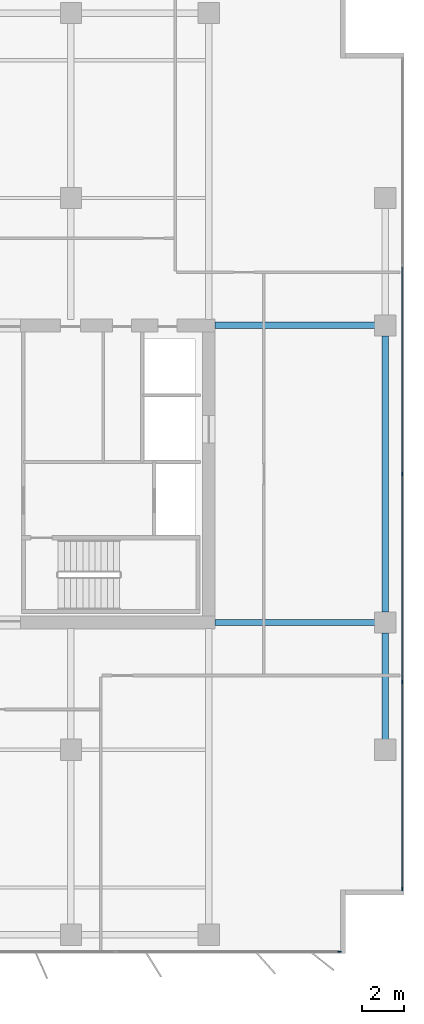
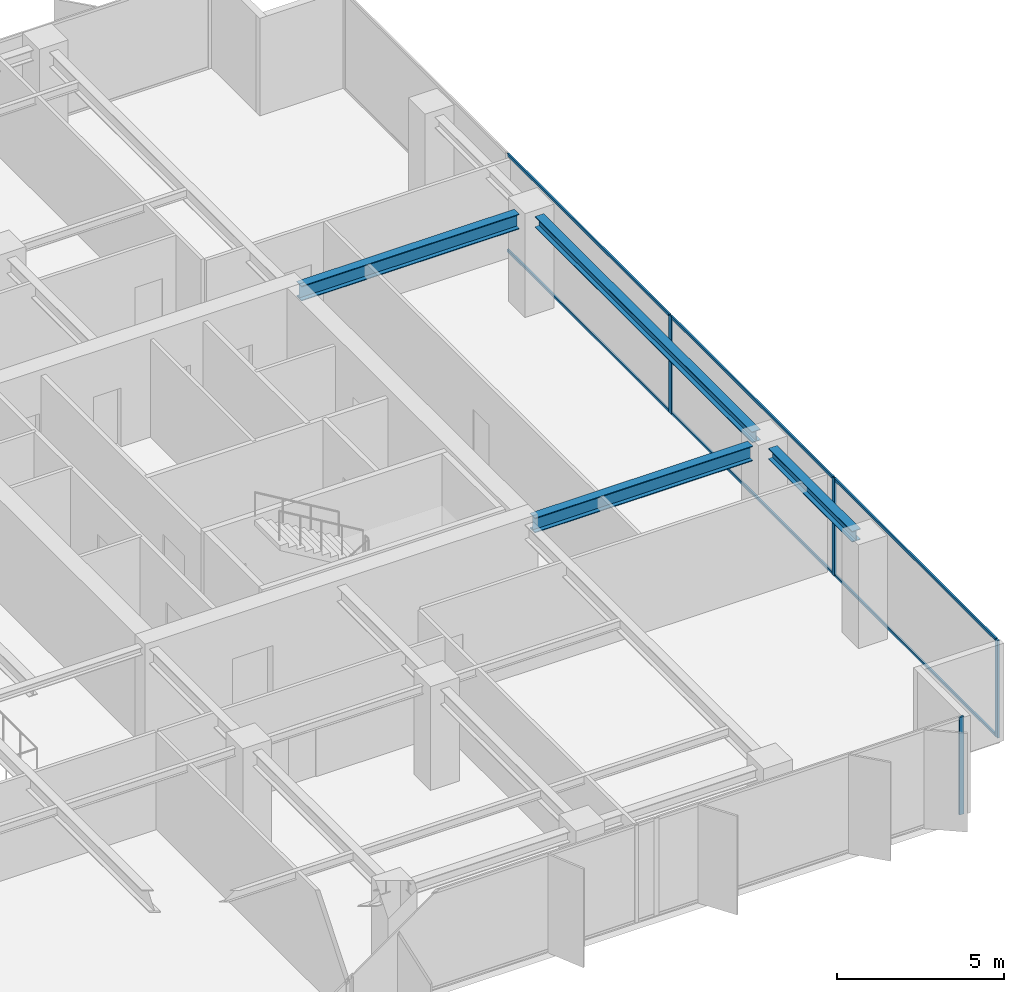
# One storey, part 12 of 22: 10 members, 4 beams, 2 elements without a shape of their own.
"""IFC4 building model written with IfcOpenShell, lengths in metres."""

import ifcopenshell
import ifcopenshell.guid

model = None  # the IFC model being written
_history = None  # IfcOwnerHistory: only IFC2X3 demands one
_inside = {}  # id of a spatial element -> (the spatial element, [elements in it])
_under = {}  # id of a project, library or spatial element -> (it, [spatial elements below it])
_declared = {}  # id of a project -> (the project, [libraries it declares])
_typed = {}  # id of a type object -> (the type object, [elements of that type])
_made_of = {}  # id of a material, layer set ... -> (it, [elements and type objects made of it])


def new_model(schema):
    """Start an empty IFC model of exactly this schema.

    Asked for "IFC4X3", IfcOpenShell would pick the latest addendum, in which some entities
    have other attributes; the version numbers below select the first issue.
    IFC2X3 requires an IfcOwnerHistory on every rooted entity: one is made here for all.
    """
    global model, _history
    if schema == "IFC4X3":
        model = ifcopenshell.file(schema_version=(4, 3, 0, 0))
    else:
        model = ifcopenshell.file(schema=schema)
    _inside.clear()
    _under.clear()
    _declared.clear()
    _typed.clear()
    _made_of.clear()
    _history = None
    if model.schema == "IFC2X3":
        org = make("IfcOrganization", Name="unknown")
        user = make(
            "IfcPersonAndOrganization",
            ThePerson=make("IfcPerson", FamilyName="unknown"),
            TheOrganization=org,
        )
        app = make(
            "IfcApplication",
            ApplicationDeveloper=org,
            Version="unknown",
            ApplicationFullName="unknown",
            ApplicationIdentifier="unknown",
        )
        _history = make(
            "IfcOwnerHistory",
            OwningUser=user,
            OwningApplication=app,
            ChangeAction="ADDED",
            CreationDate=0,
        )
    return model


def make(cls, **values):
    """One entity of the class cls with the attributes given. An attribute that is None is left unset."""
    return model.create_entity(
        cls, **{name: value for name, value in values.items() if value is not None}
    )


def rooted(cls, **values):
    """An entity with a GlobalId (a new one), such as an element, a storey or a relation."""
    return make(cls, GlobalId=ifcopenshell.guid.new(), OwnerHistory=_history, **values)


def si_unit(unit_type, name, prefix=None):
    """IfcSIUnit, for example si_unit("LENGTHUNIT", "METRE", prefix="MILLI")."""
    return make("IfcSIUnit", UnitType=unit_type, Prefix=prefix, Name=name)


def assignment(units):
    """IfcUnitAssignment: the units of a project."""
    return None if units is None else make("IfcUnitAssignment", Units=units)


def point(xyz):
    """IfcCartesianPoint."""
    return None if xyz is None else make("IfcCartesianPoint", Coordinates=xyz)


def direction(xyz):
    """IfcDirection."""
    return None if xyz is None else make("IfcDirection", DirectionRatios=xyz)


def frame(location, z_axis=None, x_axis=None):
    """IfcAxis2Placement3D, a coordinate frame: its origin and axes. An axis left out is left unset."""
    return make(
        "IfcAxis2Placement3D",
        Location=point(location),
        Axis=direction(z_axis),
        RefDirection=direction(x_axis),
    )


def frame_2d(location, x_axis=None):
    """IfcAxis2Placement2D, a coordinate frame in the plane: its origin and x axis."""
    return make(
        "IfcAxis2Placement2D", Location=point(location), RefDirection=direction(x_axis)
    )


def origin():
    """The frame at (0, 0, 0) with its axes left unset."""
    return frame((0.0, 0.0, 0.0))


def origin_2d():
    """The frame at (0, 0) in the plane with its x axis left unset."""
    return frame_2d((0.0, 0.0))


def place(relative_to, where):
    """IfcLocalPlacement: puts the frame where relative to a parent placement (None: the world)."""
    return make(
        "IfcLocalPlacement", PlacementRelTo=relative_to, RelativePlacement=where
    )


def context(
    kind, dimensions, precision=None, world=None, true_north=None, identifier=None
):
    """IfcGeometricRepresentationContext, for example the 3D "Model" context."""
    return make(
        "IfcGeometricRepresentationContext",
        ContextIdentifier=identifier,
        ContextType=kind,
        CoordinateSpaceDimension=dimensions,
        Precision=precision,
        WorldCoordinateSystem=world,
        TrueNorth=true_north,
    )


def subcontext(parent, identifier, kind, view, scale=None):
    """IfcGeometricRepresentationSubContext, for example "Body" below "Model"."""
    return make(
        "IfcGeometricRepresentationSubContext",
        ContextIdentifier=identifier,
        ContextType=kind,
        ParentContext=parent,
        TargetScale=scale,
        TargetView=view,
    )


def project(units=None, contexts=None):
    """IfcProject with its units and contexts."""
    return rooted(
        "IfcProject",
        Name="project",
        RepresentationContexts=contexts,
        UnitsInContext=assignment(units),
    )


def spatial(cls, under=None, at=None, **own):
    """A site, building, storey or space (cls), placed at a placement, below another one or the project."""
    s = rooted(cls, ObjectPlacement=at, **own)
    if under is not None:
        _under.setdefault(under.id(), (under, []))[1].append(s)
    return s


def profile(cls, at=None, kind="AREA", **sizes):
    """A parametric profile (cls). Its sizes go by their IFC names, for example OverallWidth=200.0."""
    return make(cls, ProfileType=kind, Position=at, **sizes)


def rectangle(**sizes):
    """IfcRectangleProfileDef."""
    return profile("IfcRectangleProfileDef", **sizes)


def i_section(**sizes):
    """IfcIShapeProfileDef."""
    return profile("IfcIShapeProfileDef", **sizes)


def extrude(swept, where, along, depth):
    """IfcExtrudedAreaSolid: the profile swept, set in the frame where, extruded along a direction by depth."""
    return make(
        "IfcExtrudedAreaSolid",
        SweptArea=swept,
        Position=where,
        ExtrudedDirection=direction(along),
        Depth=depth,
    )


def shape(context_of_items, identifier, shape_type, items):
    """IfcShapeRepresentation: the items that make up one representation, for example the "Body"."""
    return make(
        "IfcShapeRepresentation",
        ContextOfItems=context_of_items,
        RepresentationIdentifier=identifier,
        RepresentationType=shape_type,
        Items=items,
    )


def material(Name=None, Category=None):
    """IfcMaterial."""
    return make("IfcMaterial", Name=Name, Category=Category)


def layer(
    of_material, thickness, ventilated=None, Name=None, Category=None, Priority=None
):
    """IfcMaterialLayer: one layer of a wall or slab, of a material (None: an air gap)."""
    return make(
        "IfcMaterialLayer",
        Material=of_material,
        LayerThickness=thickness,
        IsVentilated=ventilated,
        Name=Name,
        Category=Category,
        Priority=Priority,
    )


def layer_set(layers, Name=None):
    """IfcMaterialLayerSet."""
    return make("IfcMaterialLayerSet", MaterialLayers=layers, LayerSetName=Name)


def material_profile(
    of_material, cross_section, Name=None, Category=None, Priority=None
):
    """IfcMaterialProfile: a cross section and its material."""
    return make(
        "IfcMaterialProfile",
        Name=Name,
        Material=of_material,
        Profile=cross_section,
        Priority=Priority,
        Category=Category,
    )


def profile_set(profiles, Name=None, composite=None):
    """IfcMaterialProfileSet."""
    return make(
        "IfcMaterialProfileSet",
        Name=Name,
        MaterialProfiles=profiles,
        CompositeProfile=composite,
    )


def made_of(thing, what):
    """Note that an element or type object is made of a material, layer set ...; save() writes the relation."""
    if what is not None:
        _made_of.setdefault(what.id(), (what, []))[1].append(thing)
    return thing


def type_object(cls, material=None, **own):
    """A type object (cls), such as IfcWallType, which elements share."""
    return made_of(rooted(cls, **own), material)


def element(
    cls,
    number,
    at=None,
    inside=None,
    cuts=None,
    type_object=None,
    material=None,
    context=None,
    identifier="Body",
    shape_type=None,
    held_by="IfcProductDefinitionShape",
    body=None,
    shapes=None,
    **own,
):
    """One element of the class cls, such as IfcWall. Its Tag is "e" and its number.

    at: its placement. inside: the storey or other place that contains it. cuts: it is an
    opening in that element (IfcRelVoidsElement). A single representation is given by context,
    identifier, shape_type and body (its items); several are given by shapes. held_by: the class
    of the entity that holds the representations. save() writes the other relations.
    """
    e = rooted(cls, Tag="e%d" % number, ObjectPlacement=at, **own)
    if body is not None:
        shapes = [shape(context, identifier, shape_type, body)]
    if shapes is not None:
        e.Representation = make(held_by, Representations=shapes)
    if inside is not None:
        _inside.setdefault(inside.id(), (inside, []))[1].append(e)
    if cuts is not None:
        rooted(
            "IfcRelVoidsElement", RelatingBuildingElement=cuts, RelatedOpeningElement=e
        )
    if type_object is not None:
        _typed.setdefault(type_object.id(), (type_object, []))[1].append(e)
    return made_of(e, material)


def aggregate(whole, parts):
    """IfcRelAggregates: a whole, such as a stair, and the parts it consists of."""
    return rooted("IfcRelAggregates", RelatingObject=whole, RelatedObjects=parts)


def save(model, path):
    """Write the relations noted so far, then the file.

    IfcRelAggregates (storeys below a building ...), IfcRelContainedInSpatialStructure (elements
    in a storey), IfcRelDefinesByType, IfcRelAssociatesMaterial and IfcRelDeclares: one each for
    every whole, place, type object, material and project.
    """
    for whole, parts in _under.values():
        aggregate(whole, parts)
    for where, things in _inside.values():
        rooted(
            "IfcRelContainedInSpatialStructure",
            RelatedElements=things,
            RelatingStructure=where,
        )
    for kind, things in _typed.values():
        rooted("IfcRelDefinesByType", RelatedObjects=things, RelatingType=kind)
    for what, things in _made_of.values():
        rooted("IfcRelAssociatesMaterial", RelatedObjects=things, RelatingMaterial=what)
    for by, libraries in _declared.values():
        rooted("IfcRelDeclares", RelatingContext=by, RelatedDefinitions=libraries)
    model.write(path)


model = new_model("IFC4")

# Units and contexts
model_context = context("Model", 3, precision=1e-05, world=origin(), true_north=direction((0.0, 1.0)))
body_context = subcontext(model_context, "Body", "Model", "MODEL_VIEW")
ifc_project = project(units=[si_unit("LENGTHUNIT", "METRE"), si_unit("AREAUNIT", "SQUARE_METRE"), si_unit("VOLUMEUNIT", "CUBIC_METRE"), si_unit("PLANEANGLEUNIT", "RADIAN"), si_unit("MASSUNIT", "GRAM", prefix="KILO")], contexts=[model_context])

# Site, building, storey
site_placement = place(None, origin())
site = spatial("IfcSite", under=ifc_project, at=site_placement, CompositionType="ELEMENT")
building_placement = place(site_placement, origin())
building = spatial("IfcBuilding", under=site, at=building_placement, Name="Putna Gate Headquarters", CompositionType="ELEMENT")
storey_placement = place(building_placement, frame((0.0, 0.0, 159.39990234375)))
storey = spatial("IfcBuildingStorey", under=building, at=storey_placement, Name="L39", CompositionType="ELEMENT", Elevation=159.39990234375)

# Beams
ifc_material_1 = material(Name="Steel S355J2", Category="steel")
ifc_material_profile_1 = material_profile(ifc_material_1, i_section(OverallWidth=0.300048828125, OverallDepth=0.550048828125, WebThickness=0.014892578125, FlangeThickness=0.029052734375, at=origin_2d()), Name="Steel S355J2")
ifc_profile_set_1 = profile_set([ifc_material_profile_1], Name="Steel S355J2")
beam_type_1 = type_object("IfcBeamType", Name="BM-GIRD-Z3-HEB550", PredefinedType="USERDEFINED", material=ifc_profile_set_1)
for number, where, z_axis, x_axis, name in (
    (1, (65.284912109375, 19.0, 3.297119140625), (1.0, 0.0, 0.0), (0.0, 1.0, 0.0), "L39 East Wing Girder Y19"),
    (2, (65.284912109375, 33.0, 3.297119140625), (1.0, 0.0, 0.0), (0.0, 1.0, 0.0), "L39 East Wing Girder Y33"),
):
    element("IfcBeam", number, at=place(storey_placement, frame(where, z_axis=z_axis, x_axis=x_axis)), inside=storey, type_object=beam_type_1, Name=name, ObjectType="GIRDER", PredefinedType="USERDEFINED", context=body_context, shape_type="SweptSolid", body=[
        extrude(i_section(OverallWidth=0.300048828125, OverallDepth=0.550048828125, WebThickness=0.014892578125, FlangeThickness=0.029052734375, at=origin_2d()), origin(), (0.0, 0.0, 1.0), 7.547119140625),
    ])
ifc_material_profile_2 = material_profile(ifc_material_1, i_section(OverallWidth=0.300048828125, OverallDepth=0.39990234375, WebThickness=0.013427734375, FlangeThickness=0.02392578125, at=origin_2d()), Name="Steel S355J2")
ifc_profile_set_2 = profile_set([ifc_material_profile_2], Name="Steel S355J2")
beam_type_2 = type_object("IfcBeamType", Name="BM-SPAN-Z3-HEB400", PredefinedType="SPANDREL", material=ifc_profile_set_2)
beam_1_placement = place(storey_placement, frame((73.320068359375, 13.488037109375, 3.3720703125), z_axis=(0.0, 1.0, 0.0), x_axis=(-1.0, 0.0, 0.0)))
element("IfcBeam", 3, at=beam_1_placement, inside=storey, type_object=beam_type_2, Name="L39 E End Spandrel 1", PredefinedType="SPANDREL", context=body_context, shape_type="SweptSolid", body=[
    extrude(i_section(OverallWidth=0.300048828125, OverallDepth=0.39990234375, WebThickness=0.013427734375, FlangeThickness=0.02392578125, at=origin_2d()), origin(), (0.0, 0.0, 1.0), 5.02392578125),
])
beam_2_placement = place(storey_placement, frame((73.320068359375, 19.488037109375, 3.3720703125), z_axis=(0.0, 1.0, 0.0), x_axis=(-1.0, 0.0, 0.0)))
element("IfcBeam", 4, at=beam_2_placement, inside=storey, type_object=beam_type_2, Name="L39 E End Spandrel 2", PredefinedType="SPANDREL", context=body_context, shape_type="SweptSolid", body=[
    extrude(i_section(OverallWidth=0.300048828125, OverallDepth=0.39990234375, WebThickness=0.013427734375, FlangeThickness=0.02392578125, at=origin_2d()), origin(), (0.0, 0.0, 1.0), 13.02392578125),
])

# Curtain wall, member
ifc_material_2 = material(Name="Anodised bronze aluminium curtain wall", Category="aluminium")
ifc_layer = layer(ifc_material_2, 0.159912109375)
ifc_layer_set = layer_set([ifc_layer], Name="Anodised bronze aluminium curtain wall")
curtain_wall_type = type_object("IfcCurtainWallType", Name="CW-SYS-Z3", PredefinedType="USERDEFINED", material=ifc_layer_set)
curtain_wall_1_placement = place(storey_placement, origin())
curtain_wall_1 = element("IfcCurtainWall", 5, at=curtain_wall_1_placement, inside=storey, type_object=curtain_wall_type, Name="L39 South East Curtain Wall", ObjectType="STICK CURTAIN WALL", PredefinedType="USERDEFINED")
ifc_material_3 = material(Name="Anodised bronze aluminium EN AW-6060", Category="aluminium")
ifc_material_profile_3 = material_profile(ifc_material_3, rectangle(XDim=0.06494140625, YDim=0.159912109375, at=origin_2d()), Name="Anodised bronze aluminium EN AW-6060")
ifc_profile_set_3 = profile_set([ifc_material_profile_3], Name="Anodised bronze aluminium EN AW-6060")
member_type_1 = type_object("IfcMemberType", Name="MULL-CWM-3", PredefinedType="MULLION", material=ifc_profile_set_3)
member_1_placement = place(storey_placement, frame((71.16748046875, 3.47998046875, 0.0), z_axis=(0.0, 0.0, 1.0), x_axis=(0.0, 1.0, 0.0)))
member_1 = element("IfcMember", 6, at=member_1_placement, type_object=member_type_1, Name="CWS-3 mullion 3", PredefinedType="MULLION", context=body_context, shape_type="SweptSolid", body=[
    extrude(rectangle(XDim=0.06494140625, YDim=0.159912109375, at=origin_2d()), origin(), (0.0, 0.0, 1.0), 3.572021484375),
])
aggregate(curtain_wall_1, [member_1])

# Curtain wall, members
curtain_wall_2_placement = place(storey_placement, origin())
curtain_wall_2 = element("IfcCurtainWall", 7, at=curtain_wall_2_placement, inside=storey, type_object=curtain_wall_type, Name="L39 East Curtain Wall", ObjectType="STICK CURTAIN WALL", PredefinedType="USERDEFINED")
member_2_placement = place(storey_placement, frame((74.1201171875, 6.4326171875, 0.0), z_axis=(0.0, 0.0, 1.0), x_axis=(-1.0, 0.0, 0.0)))
member_2 = element("IfcMember", 8, at=member_2_placement, type_object=member_type_1, Name="CWS-3 mullion 1", PredefinedType="MULLION", context=body_context, shape_type="SweptSolid", body=[
    extrude(rectangle(XDim=0.06494140625, YDim=0.159912109375, at=origin_2d()), origin(), (0.0, 0.0, 1.0), 3.572021484375),
])
member_3_placement = place(storey_placement, frame((74.1201171875, 16.199951171875, 0.0), z_axis=(0.0, 0.0, 1.0), x_axis=(-1.0, 0.0, 0.0)))
member_3 = element("IfcMember", 9, at=member_3_placement, type_object=member_type_1, Name="CWS-3 mullion 2", PredefinedType="MULLION", context=body_context, shape_type="SweptSolid", body=[
    extrude(rectangle(XDim=0.06494140625, YDim=0.159912109375, at=origin_2d()), origin(), (0.0, 0.0, 1.0), 3.572021484375),
])
member_4_placement = place(storey_placement, frame((74.1201171875, 26.0, 0.0), z_axis=(0.0, 0.0, 1.0), x_axis=(-1.0, 0.0, 0.0)))
member_4 = element("IfcMember", 10, at=member_4_placement, type_object=member_type_1, Name="CWS-3 mullion 3", PredefinedType="MULLION", context=body_context, shape_type="SweptSolid", body=[
    extrude(rectangle(XDim=0.06494140625, YDim=0.159912109375, at=origin_2d()), origin(), (0.0, 0.0, 1.0), 3.572021484375),
])
ifc_material_profile_4 = material_profile(ifc_material_3, rectangle(XDim=0.06005859375, YDim=0.10009765625, at=origin_2d()), Name="Anodised bronze aluminium EN AW-6060")
ifc_profile_set_4 = profile_set([ifc_material_profile_4], Name="Anodised bronze aluminium EN AW-6060")
member_type_2 = type_object("IfcMemberType", Name="TRAN-CWT-3", PredefinedType="USERDEFINED", material=ifc_profile_set_4)
member_5_placement = place(storey_placement, frame((74.1201171875, 6.465087890625, 0.030029296875), z_axis=(0.0, 1.0, 0.0), x_axis=(-1.0, 0.0, 0.0)))
member_5 = element("IfcMember", 11, at=member_5_placement, type_object=member_type_2, Name="CWS-3 transom 1.1", ObjectType="TRANSOM", PredefinedType="USERDEFINED", context=body_context, shape_type="SweptSolid", body=[
    extrude(rectangle(XDim=0.06005859375, YDim=0.10009765625, at=origin_2d()), origin(), (0.0, 0.0, 1.0), 9.702392578125),
])
member_6_placement = place(storey_placement, frame((74.1201171875, 6.465087890625, 3.5419921875), z_axis=(0.0, 1.0, 0.0), x_axis=(-1.0, 0.0, 0.0)))
member_6 = element("IfcMember", 12, at=member_6_placement, type_object=member_type_2, Name="CWS-3 transom 1.2", ObjectType="TRANSOM", PredefinedType="USERDEFINED", context=body_context, shape_type="SweptSolid", body=[
    extrude(rectangle(XDim=0.06005859375, YDim=0.10009765625, at=origin_2d()), origin(), (0.0, 0.0, 1.0), 9.702392578125),
])
member_7_placement = place(storey_placement, frame((74.1201171875, 16.232421875, 0.030029296875), z_axis=(0.0, 1.0, 0.0), x_axis=(-1.0, 0.0, 0.0)))
member_7 = element("IfcMember", 13, at=member_7_placement, type_object=member_type_2, Name="CWS-3 transom 2.1", ObjectType="TRANSOM", PredefinedType="USERDEFINED", context=body_context, shape_type="SweptSolid", body=[
    extrude(rectangle(XDim=0.06005859375, YDim=0.10009765625, at=origin_2d()), origin(), (0.0, 0.0, 1.0), 9.735107421875),
])
member_8_placement = place(storey_placement, frame((74.1201171875, 16.232421875, 3.5419921875), z_axis=(0.0, 1.0, 0.0), x_axis=(-1.0, 0.0, 0.0)))
member_8 = element("IfcMember", 14, at=member_8_placement, type_object=member_type_2, Name="CWS-3 transom 2.2", ObjectType="TRANSOM", PredefinedType="USERDEFINED", context=body_context, shape_type="SweptSolid", body=[
    extrude(rectangle(XDim=0.06005859375, YDim=0.10009765625, at=origin_2d()), origin(), (0.0, 0.0, 1.0), 9.735107421875),
])
member_9_placement = place(storey_placement, frame((74.1201171875, 26.032470703125, 0.030029296875), z_axis=(0.0, 1.0, 0.0), x_axis=(-1.0, 0.0, 0.0)))
member_9 = element("IfcMember", 15, at=member_9_placement, type_object=member_type_2, Name="CWS-3 transom 3.1", ObjectType="TRANSOM", PredefinedType="USERDEFINED", context=body_context, shape_type="SweptSolid", body=[
    extrude(rectangle(XDim=0.06005859375, YDim=0.10009765625, at=origin_2d()), origin(), (0.0, 0.0, 1.0), 9.735107421875),
])
member_10_placement = place(storey_placement, frame((74.1201171875, 26.032470703125, 3.5419921875), z_axis=(0.0, 1.0, 0.0), x_axis=(-1.0, 0.0, 0.0)))
member_10 = element("IfcMember", 16, at=member_10_placement, type_object=member_type_2, Name="CWS-3 transom 3.2", ObjectType="TRANSOM", PredefinedType="USERDEFINED", context=body_context, shape_type="SweptSolid", body=[
    extrude(rectangle(XDim=0.06005859375, YDim=0.10009765625, at=origin_2d()), origin(), (0.0, 0.0, 1.0), 9.735107421875),
])
aggregate(curtain_wall_2, [member_2, member_3, member_4, member_5, member_6, member_7, member_8, member_9, member_10])

save(model, "model.ifc")
